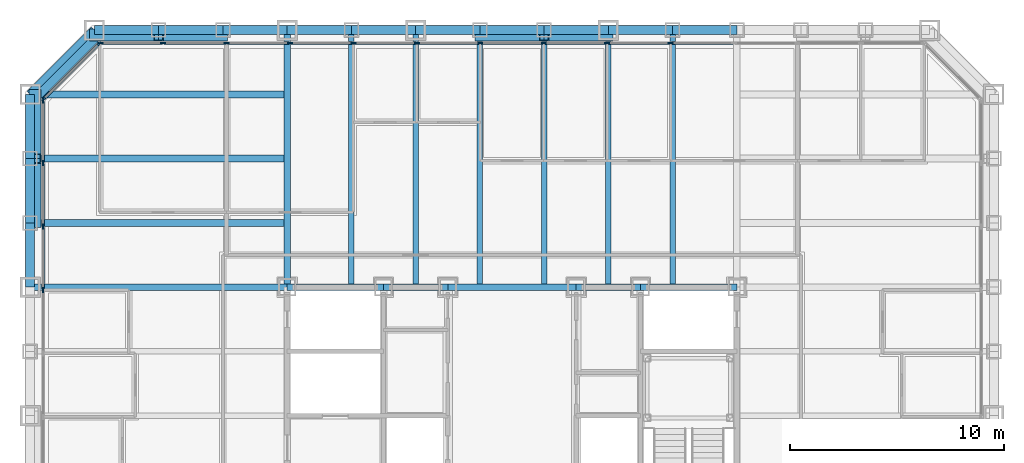
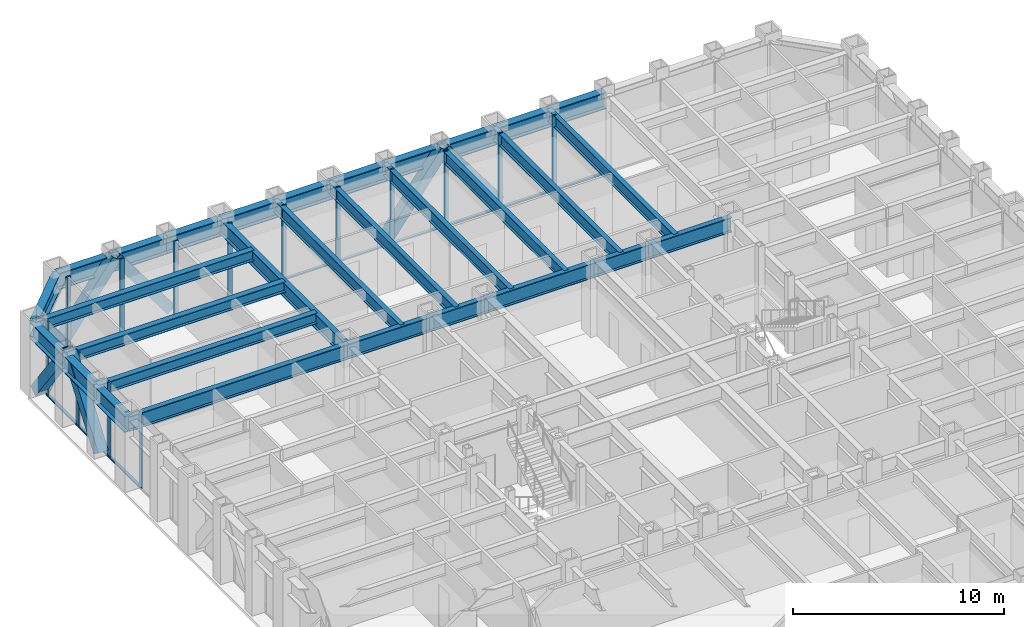
# One storey, part 5 of 16: 37 members, 30 beams, 3 elements without a shape of their own.
"""IFC4 building model written with IfcOpenShell, lengths in metres."""

from ifc_helpers import new_model, si_unit, direction, frame, origin, origin_2d, place, context, subcontext, project, spatial, rectangle, hollow_rectangle, i_section, extrude, material, layer, layer_set, material_profile, profile_set, type_object, element, aggregate, save


model = new_model("IFC4")

# Units and contexts
model_context = context("Model", 3, precision=1e-05, world=origin(), true_north=direction((0.0, 1.0)))
body_context = subcontext(model_context, "Body", "Model", "MODEL_VIEW")
ifc_project = project(units=[si_unit("LENGTHUNIT", "METRE"), si_unit("AREAUNIT", "SQUARE_METRE"), si_unit("VOLUMEUNIT", "CUBIC_METRE"), si_unit("PLANEANGLEUNIT", "RADIAN"), si_unit("MASSUNIT", "GRAM", prefix="KILO")], contexts=[model_context])

# Site, building, storey
site_placement = place(None, origin())
site = spatial("IfcSite", under=ifc_project, at=site_placement, CompositionType="ELEMENT")
building_placement = place(site_placement, origin())
building = spatial("IfcBuilding", under=site, at=building_placement, Name="Chuquiago Exchange Tower", CompositionType="ELEMENT")
storey_placement = place(building_placement, frame((0.0, 0.0, 73.800048828125)))
storey = spatial("IfcBuildingStorey", under=building, at=storey_placement, Name="L15", CompositionType="ELEMENT", Elevation=73.800048828125)

# Beams
ifc_material_1 = material(Name="Steel ASTM A992", Category="steel")
ifc_material_profile_1 = material_profile(ifc_material_1, i_section(OverallWidth=0.2919921875, OverallDepth=0.8583984375, WebThickness=0.01708984375, FlangeThickness=0.031005859375, at=origin_2d()), Name="W33X169")
ifc_profile_set_1 = profile_set([ifc_material_profile_1], Name="Steel ASTM A992")
beam_type_1 = type_object("IfcBeamType", Name="B3 W33X169", PredefinedType="BEAM", material=ifc_profile_set_1)
beam_1_placement = place(storey_placement, frame((12.0, 33.0, 3.610595703125), z_axis=(1.0, 0.0, 0.0), x_axis=(0.0, 1.0, 0.0)))
element("IfcBeam", 1, at=beam_1_placement, inside=storey, type_object=beam_type_1, Name="CB-L16-12_33-16.5_33", PredefinedType="BEAM", context=body_context, shape_type="SweptSolid", body=[
    extrude(i_section(OverallWidth=0.2919921875, OverallDepth=0.8583984375, WebThickness=0.01708984375, FlangeThickness=0.031005859375, at=origin_2d()), origin(), (0.0, 0.0, 1.0), 4.5),
])
beam_2_placement = place(storey_placement, frame((16.5, 33.0, 3.610595703125), z_axis=(1.0, 0.0, 0.0), x_axis=(0.0, 1.0, 0.0)))
element("IfcBeam", 2, at=beam_2_placement, inside=storey, type_object=beam_type_1, Name="CB-L16-16.5_33-19.5_33", PredefinedType="BEAM", context=body_context, shape_type="SweptSolid", body=[
    extrude(i_section(OverallWidth=0.2919921875, OverallDepth=0.8583984375, WebThickness=0.01708984375, FlangeThickness=0.031005859375, at=origin_2d()), origin(), (0.0, 0.0, 1.0), 3.0),
])
beam_3_placement = place(storey_placement, frame((19.5, 33.0, 3.610595703125), z_axis=(1.0, 0.0, 0.0), x_axis=(0.0, 1.0, 0.0)))
element("IfcBeam", 3, at=beam_3_placement, inside=storey, type_object=beam_type_1, Name="CB-L16-19.5_33-25.5_33", PredefinedType="BEAM", context=body_context, shape_type="SweptSolid", body=[
    extrude(i_section(OverallWidth=0.2919921875, OverallDepth=0.8583984375, WebThickness=0.01708984375, FlangeThickness=0.031005859375, at=origin_2d()), origin(), (0.0, 0.0, 1.0), 6.0),
])
beam_4_placement = place(storey_placement, frame((25.5, 33.0, 3.610595703125), z_axis=(1.0, 0.0, 0.0), x_axis=(0.0, 1.0, 0.0)))
element("IfcBeam", 4, at=beam_4_placement, inside=storey, type_object=beam_type_1, Name="CB-L16-25.5_33-28.5_33", PredefinedType="BEAM", context=body_context, shape_type="SweptSolid", body=[
    extrude(i_section(OverallWidth=0.2919921875, OverallDepth=0.8583984375, WebThickness=0.01708984375, FlangeThickness=0.031005859375, at=origin_2d()), origin(), (0.0, 0.0, 1.0), 3.0),
])
beam_5_placement = place(storey_placement, frame((28.5, 33.0, 3.610595703125), z_axis=(1.0, 0.0, 0.0), x_axis=(0.0, 1.0, 0.0)))
element("IfcBeam", 5, at=beam_5_placement, inside=storey, type_object=beam_type_1, Name="CB-L16-28.5_33-33_33", PredefinedType="BEAM", context=body_context, shape_type="SweptSolid", body=[
    extrude(i_section(OverallWidth=0.2919921875, OverallDepth=0.8583984375, WebThickness=0.01708984375, FlangeThickness=0.031005859375, at=origin_2d()), origin(), (0.0, 0.0, 1.0), 4.5),
])
ifc_material_2 = material(Name="Steel ASTM A992", Category="steel")
ifc_material_profile_2 = material_profile(ifc_material_2, i_section(OverallWidth=0.256591796875, OverallDepth=0.693359375, WebThickness=0.014404296875, FlangeThickness=0.023681640625, at=origin_2d()), Name="W27X114")
ifc_profile_set_2 = profile_set([ifc_material_profile_2], Name="Steel ASTM A992")
beam_type_2 = type_object("IfcBeamType", Name="B4 W27X114", PredefinedType="BEAM", material=ifc_profile_set_2)
for number, where, z_axis, x_axis, name in (
    (6, (15.0, 33.0, 3.693359375), (0.0, 1.0, 0.0), (-1.0, 0.0, 0.0), "FB-L16-infill-15_33-15_45-0"),
    (7, (18.0, 33.0, 3.693359375), (0.0, 1.0, 0.0), (-1.0, 0.0, 0.0), "FB-L16-infill-18_33-18_45-0"),
    (8, (21.0, 33.0, 3.693359375), (0.0, 1.0, 0.0), (-1.0, 0.0, 0.0), "FB-L16-infill-21_33-21_45-0"),
    (9, (24.0, 33.0, 3.693359375), (0.0, 1.0, 0.0), (-1.0, 0.0, 0.0), "FB-L16-infill-24_33-24_45-0"),
    (10, (27.0, 33.0, 3.693359375), (0.0, 1.0, 0.0), (-1.0, 0.0, 0.0), "FB-L16-infill-27_33-27_45-0"),
    (11, (30.0, 33.0, 3.693359375), (0.0, 1.0, 0.0), (-1.0, 0.0, 0.0), "FB-L16-infill-30_33-30_45-0"),
):
    element("IfcBeam", number, at=place(storey_placement, frame(where, z_axis=z_axis, x_axis=x_axis)), inside=storey, type_object=beam_type_2, Name=name, PredefinedType="BEAM", context=body_context, shape_type="SweptSolid", body=[
        extrude(i_section(OverallWidth=0.256591796875, OverallDepth=0.693359375, WebThickness=0.014404296875, FlangeThickness=0.023681640625, at=origin_2d()), origin(), (0.0, 0.0, 1.0), 12.0),
    ])
ifc_material_3 = material(Name="Steel ASTM A992", Category="steel")
ifc_material_profile_3 = material_profile(ifc_material_3, i_section(OverallWidth=0.3251953125, OverallDepth=0.6171875, WebThickness=0.013916015625, FlangeThickness=0.021484375, at=origin_2d()), Name="W24X117")
ifc_profile_set_3 = profile_set([ifc_material_profile_3], Name="Steel ASTM A992")
beam_type_3 = type_object("IfcBeamType", Name="B5 W24X117", PredefinedType="BEAM", material=ifc_profile_set_3)
for number, where, z_axis, x_axis, name in (
    (12, (12.0, 36.0, 3.7314453125), (-1.0, 0.0, 0.0), (0.0, -1.0, 0.0), "FB-L16-corner-12_36--0_36-0"),
    (13, (12.0, 39.0, 3.7314453125), (-1.0, 0.0, 0.0), (0.0, -1.0, 0.0), "FB-L16-corner-12_39--0_39-0"),
    (14, (12.0, 42.0, 3.7314453125), (-1.0, 0.0, 0.0), (0.0, -1.0, 0.0), "FB-L16-corner-12_42--0_42-0"),
):
    element("IfcBeam", number, at=place(storey_placement, frame(where, z_axis=z_axis, x_axis=x_axis)), inside=storey, type_object=beam_type_3, Name=name, PredefinedType="BEAM", context=body_context, shape_type="SweptSolid", body=[
        extrude(i_section(OverallWidth=0.3251953125, OverallDepth=0.6171875, WebThickness=0.013916015625, FlangeThickness=0.021484375, at=origin_2d()), origin(), (0.0, 0.0, 1.0), 12.0),
    ])

# Curtain wall, members
ifc_material_4 = material(Name="Aluminium curtain wall system", Category="aluminium")
ifc_layer_1 = layer(ifc_material_4, 0.25)
ifc_layer_set_1 = layer_set([ifc_layer_1], Name="CW1 trading floor curtain wall")
curtain_wall_type_1 = type_object("IfcCurtainWallType", Name="CW1 trading floor curtain wall", PredefinedType="NOTDEFINED", material=ifc_layer_set_1)
curtain_wall_1_placement = place(storey_placement, origin())
curtain_wall_1 = element("IfcCurtainWall", 15, at=curtain_wall_1_placement, inside=storey, type_object=curtain_wall_type_1, Name="CW1 curtain wall L15", PredefinedType="NOTDEFINED")
ifc_material_5 = material(Name="Aluminium mullion, pale anodised", Category="aluminium")
ifc_material_profile_4 = material_profile(ifc_material_5, rectangle(XDim=0.074951171875, YDim=0.25, at=origin_2d()), Name="AL 75x250")
ifc_profile_set_4 = profile_set([ifc_material_profile_4], Name="Aluminium mullion, pale anodised")
member_type_1 = type_object("IfcMemberType", Name="CW1-M mullion 75x250", PredefinedType="MULLION", material=ifc_profile_set_4)
member_1_placement = place(storey_placement, frame((29.904541015625, 44.39990234375, -0.300048828125), z_axis=(0.0, 0.0, 1.0), x_axis=(0.0, -1.0, 0.0)))
member_1 = element("IfcMember", 16, at=member_1_placement, type_object=member_type_1, Name="CW1 mullion 5", PredefinedType="MULLION", context=body_context, shape_type="SweptSolid", body=[
    extrude(rectangle(XDim=0.074951171875, YDim=0.25, at=origin_2d()), origin(), (0.0, 0.0, 1.0), 4.340087890625),
])
member_2_placement = place(storey_placement, frame((26.942626953125, 44.39990234375, -0.300048828125), z_axis=(0.0, 0.0, 1.0), x_axis=(0.0, -1.0, 0.0)))
member_2 = element("IfcMember", 17, at=member_2_placement, type_object=member_type_1, Name="CW1 mullion 6", PredefinedType="MULLION", context=body_context, shape_type="SweptSolid", body=[
    extrude(rectangle(XDim=0.074951171875, YDim=0.25, at=origin_2d()), origin(), (0.0, 0.0, 1.0), 4.340087890625),
])
member_3_placement = place(storey_placement, frame((23.98095703125, 44.39990234375, -0.300048828125), z_axis=(0.0, 0.0, 1.0), x_axis=(0.0, -1.0, 0.0)))
member_3 = element("IfcMember", 18, at=member_3_placement, type_object=member_type_1, Name="CW1 mullion 7", PredefinedType="MULLION", context=body_context, shape_type="SweptSolid", body=[
    extrude(rectangle(XDim=0.074951171875, YDim=0.25, at=origin_2d()), origin(), (0.0, 0.0, 1.0), 4.340087890625),
])
member_4_placement = place(storey_placement, frame((21.01904296875, 44.39990234375, -0.300048828125), z_axis=(0.0, 0.0, 1.0), x_axis=(0.0, -1.0, 0.0)))
member_4 = element("IfcMember", 19, at=member_4_placement, type_object=member_type_1, Name="CW1 mullion 8", PredefinedType="MULLION", context=body_context, shape_type="SweptSolid", body=[
    extrude(rectangle(XDim=0.074951171875, YDim=0.25, at=origin_2d()), origin(), (0.0, 0.0, 1.0), 4.340087890625),
])
member_5_placement = place(storey_placement, frame((18.057373046875, 44.39990234375, -0.300048828125), z_axis=(0.0, 0.0, 1.0), x_axis=(0.0, -1.0, 0.0)))
member_5 = element("IfcMember", 20, at=member_5_placement, type_object=member_type_1, Name="CW1 mullion 9", PredefinedType="MULLION", context=body_context, shape_type="SweptSolid", body=[
    extrude(rectangle(XDim=0.074951171875, YDim=0.25, at=origin_2d()), origin(), (0.0, 0.0, 1.0), 4.340087890625),
])
member_6_placement = place(storey_placement, frame((15.095458984375, 44.39990234375, -0.300048828125), z_axis=(0.0, 0.0, 1.0), x_axis=(0.0, -1.0, 0.0)))
member_6 = element("IfcMember", 21, at=member_6_placement, type_object=member_type_1, Name="CW1 mullion 10", PredefinedType="MULLION", context=body_context, shape_type="SweptSolid", body=[
    extrude(rectangle(XDim=0.074951171875, YDim=0.25, at=origin_2d()), origin(), (0.0, 0.0, 1.0), 4.340087890625),
])
member_7_placement = place(storey_placement, frame((12.1337890625, 44.39990234375, -0.300048828125), z_axis=(0.0, 0.0, 1.0), x_axis=(0.0, -1.0, 0.0)))
member_7 = element("IfcMember", 22, at=member_7_placement, type_object=member_type_1, Name="CW1 mullion 11", PredefinedType="MULLION", context=body_context, shape_type="SweptSolid", body=[
    extrude(rectangle(XDim=0.074951171875, YDim=0.25, at=origin_2d()), origin(), (0.0, 0.0, 1.0), 4.340087890625),
])
member_8_placement = place(storey_placement, frame((9.172119140625, 44.39990234375, -0.300048828125), z_axis=(0.0, 0.0, 1.0), x_axis=(0.0, -1.0, 0.0)))
member_8 = element("IfcMember", 23, at=member_8_placement, type_object=member_type_1, Name="CW1 mullion 12", PredefinedType="MULLION", context=body_context, shape_type="SweptSolid", body=[
    extrude(rectangle(XDim=0.074951171875, YDim=0.25, at=origin_2d()), origin(), (0.0, 0.0, 1.0), 4.340087890625),
])
member_9_placement = place(storey_placement, frame((6.210205078125, 44.39990234375, -0.300048828125), z_axis=(0.0, 0.0, 1.0), x_axis=(0.0, -1.0, 0.0)))
member_9 = element("IfcMember", 24, at=member_9_placement, type_object=member_type_1, Name="CW1 mullion 13", PredefinedType="MULLION", context=body_context, shape_type="SweptSolid", body=[
    extrude(rectangle(XDim=0.074951171875, YDim=0.25, at=origin_2d()), origin(), (0.0, 0.0, 1.0), 4.340087890625),
])
member_10_placement = place(storey_placement, frame((3.285888671875, 44.39990234375, -0.300048828125), z_axis=(0.0, 0.0, 1.0), x_axis=(0.0, -1.0, 0.0)))
member_10 = element("IfcMember", 25, at=member_10_placement, type_object=member_type_1, Name="CW1 mullion 14", PredefinedType="MULLION", context=body_context, shape_type="SweptSolid", body=[
    extrude(rectangle(XDim=0.074951171875, YDim=0.25, at=origin_2d()), origin(), (0.0, 0.0, 1.0), 4.340087890625),
])

curtain_wall_2_placement = place(storey_placement, origin())
curtain_wall_2 = element("IfcCurtainWall", 26, at=curtain_wall_2_placement, inside=storey, type_object=curtain_wall_type_1, Name="CW1 curtain wall L15", PredefinedType="NOTDEFINED")
member_11_placement = place(storey_placement, frame((0.60009765625, 41.714111328125, -0.300048828125), z_axis=(0.0, 0.0, 1.0), x_axis=(1.0, 0.0, 0.0)))
member_11 = element("IfcMember", 27, at=member_11_placement, type_object=member_type_1, Name="CW1 mullion 1", PredefinedType="MULLION", context=body_context, shape_type="SweptSolid", body=[
    extrude(rectangle(XDim=0.074951171875, YDim=0.25, at=origin_2d()), origin(), (0.0, 0.0, 1.0), 4.340087890625),
])
member_12_placement = place(storey_placement, frame((0.60009765625, 38.789794921875, -0.300048828125), z_axis=(0.0, 0.0, 1.0), x_axis=(1.0, 0.0, 0.0)))
member_12 = element("IfcMember", 28, at=member_12_placement, type_object=member_type_1, Name="CW1 mullion 2", PredefinedType="MULLION", context=body_context, shape_type="SweptSolid", body=[
    extrude(rectangle(XDim=0.074951171875, YDim=0.25, at=origin_2d()), origin(), (0.0, 0.0, 1.0), 4.340087890625),
])
member_13_placement = place(storey_placement, frame((0.60009765625, 35.827880859375, -0.300048828125), z_axis=(0.0, 0.0, 1.0), x_axis=(1.0, 0.0, 0.0)))
member_13 = element("IfcMember", 29, at=member_13_placement, type_object=member_type_1, Name="CW1 mullion 3", PredefinedType="MULLION", context=body_context, shape_type="SweptSolid", body=[
    extrude(rectangle(XDim=0.074951171875, YDim=0.25, at=origin_2d()), origin(), (0.0, 0.0, 1.0), 4.340087890625),
])
member_14_placement = place(storey_placement, frame((0.60009765625, 32.8662109375, -0.300048828125), z_axis=(0.0, 0.0, 1.0), x_axis=(1.0, 0.0, 0.0)))
member_14 = element("IfcMember", 30, at=member_14_placement, type_object=member_type_1, Name="CW1 mullion 4", PredefinedType="MULLION", context=body_context, shape_type="SweptSolid", body=[
    extrude(rectangle(XDim=0.074951171875, YDim=0.25, at=origin_2d()), origin(), (0.0, 0.0, 1.0), 4.340087890625),
])

# Member
ifc_material_6 = material(Name="Aluminium transom, pale anodised", Category="aluminium")
ifc_material_profile_5 = material_profile(ifc_material_6, rectangle(XDim=0.14990234375, YDim=0.074951171875, at=origin_2d()), Name="AL 150x75")
ifc_profile_set_5 = profile_set([ifc_material_profile_5], Name="Aluminium transom, pale anodised")
member_type_2 = type_object("IfcMemberType", Name="CW1-T transom 75x150", PredefinedType="MULLION", material=ifc_profile_set_5)
member_15_placement = place(storey_placement, frame((32.82861328125, 44.39990234375, -0.262451171875), z_axis=(-1.0, 0.0, 0.0), x_axis=(0.0, -1.0, 0.0)))
member_15 = element("IfcMember", 31, at=member_15_placement, type_object=member_type_2, Name="CW1 transom 4.1", PredefinedType="MULLION", context=body_context, shape_type="SweptSolid", body=[
    extrude(rectangle(XDim=0.14990234375, YDim=0.074951171875, at=origin_2d()), origin(), (0.0, 0.0, 1.0), 2.88671875),
])

member_16_placement = place(storey_placement, frame((29.866943359375, 44.39990234375, -0.262451171875), z_axis=(-1.0, 0.0, 0.0), x_axis=(0.0, -1.0, 0.0)))
member_16 = element("IfcMember", 32, at=member_16_placement, type_object=member_type_2, Name="CW1 transom 5.1", PredefinedType="MULLION", context=body_context, shape_type="SweptSolid", body=[
    extrude(rectangle(XDim=0.14990234375, YDim=0.074951171875, at=origin_2d()), origin(), (0.0, 0.0, 1.0), 2.88671875),
])

member_17_placement = place(storey_placement, frame((26.9052734375, 44.39990234375, -0.262451171875), z_axis=(-1.0, 0.0, 0.0), x_axis=(0.0, -1.0, 0.0)))
member_17 = element("IfcMember", 33, at=member_17_placement, type_object=member_type_2, Name="CW1 transom 6.1", PredefinedType="MULLION", context=body_context, shape_type="SweptSolid", body=[
    extrude(rectangle(XDim=0.14990234375, YDim=0.074951171875, at=origin_2d()), origin(), (0.0, 0.0, 1.0), 2.886962890625),
])

member_18_placement = place(storey_placement, frame((23.943359375, 44.39990234375, -0.262451171875), z_axis=(-1.0, 0.0, 0.0), x_axis=(0.0, -1.0, 0.0)))
member_18 = element("IfcMember", 34, at=member_18_placement, type_object=member_type_2, Name="CW1 transom 7.1", PredefinedType="MULLION", context=body_context, shape_type="SweptSolid", body=[
    extrude(rectangle(XDim=0.14990234375, YDim=0.074951171875, at=origin_2d()), origin(), (0.0, 0.0, 1.0), 2.88671875),
])

member_19_placement = place(storey_placement, frame((20.981689453125, 44.39990234375, -0.262451171875), z_axis=(-1.0, 0.0, 0.0), x_axis=(0.0, -1.0, 0.0)))
member_19 = element("IfcMember", 35, at=member_19_placement, type_object=member_type_2, Name="CW1 transom 8.1", PredefinedType="MULLION", context=body_context, shape_type="SweptSolid", body=[
    extrude(rectangle(XDim=0.14990234375, YDim=0.074951171875, at=origin_2d()), origin(), (0.0, 0.0, 1.0), 2.886962890625),
])

member_20_placement = place(storey_placement, frame((18.019775390625, 44.39990234375, -0.262451171875), z_axis=(-1.0, 0.0, 0.0), x_axis=(0.0, -1.0, 0.0)))
member_20 = element("IfcMember", 36, at=member_20_placement, type_object=member_type_2, Name="CW1 transom 9.1", PredefinedType="MULLION", context=body_context, shape_type="SweptSolid", body=[
    extrude(rectangle(XDim=0.14990234375, YDim=0.074951171875, at=origin_2d()), origin(), (0.0, 0.0, 1.0), 2.88671875),
])

member_21_placement = place(storey_placement, frame((15.05810546875, 44.39990234375, -0.262451171875), z_axis=(-1.0, 0.0, 0.0), x_axis=(0.0, -1.0, 0.0)))
member_21 = element("IfcMember", 37, at=member_21_placement, type_object=member_type_2, Name="CW1 transom 10.1", PredefinedType="MULLION", context=body_context, shape_type="SweptSolid", body=[
    extrude(rectangle(XDim=0.14990234375, YDim=0.074951171875, at=origin_2d()), origin(), (0.0, 0.0, 1.0), 2.88671875),
])

member_22_placement = place(storey_placement, frame((12.09619140625, 44.39990234375, -0.262451171875), z_axis=(-1.0, 0.0, 0.0), x_axis=(0.0, -1.0, 0.0)))
member_22 = element("IfcMember", 38, at=member_22_placement, type_object=member_type_2, Name="CW1 transom 11.1", PredefinedType="MULLION", context=body_context, shape_type="SweptSolid", body=[
    extrude(rectangle(XDim=0.14990234375, YDim=0.074951171875, at=origin_2d()), origin(), (0.0, 0.0, 1.0), 2.88671875),
])

member_23_placement = place(storey_placement, frame((9.134521484375, 44.39990234375, -0.262451171875), z_axis=(-1.0, 0.0, 0.0), x_axis=(0.0, -1.0, 0.0)))
member_23 = element("IfcMember", 39, at=member_23_placement, type_object=member_type_2, Name="CW1 transom 12.1", PredefinedType="MULLION", context=body_context, shape_type="SweptSolid", body=[
    extrude(rectangle(XDim=0.14990234375, YDim=0.074951171875, at=origin_2d()), origin(), (0.0, 0.0, 1.0), 2.88671875),
])

member_24_placement = place(storey_placement, frame((6.1728515625, 44.39990234375, -0.262451171875), z_axis=(-1.0, 0.0, 0.0), x_axis=(0.0, -1.0, 0.0)))
member_24 = element("IfcMember", 40, at=member_24_placement, type_object=member_type_2, Name="CW1 transom 13.1", PredefinedType="MULLION", context=body_context, shape_type="SweptSolid", body=[
    extrude(rectangle(XDim=0.14990234375, YDim=0.074951171875, at=origin_2d()), origin(), (0.0, 0.0, 1.0), 2.849365234375),
])

aggregate(curtain_wall_1, [member_1, member_2, member_3, member_4, member_5, member_6, member_7, member_8, member_9, member_10, member_15, member_16, member_17, member_18, member_19, member_20, member_21, member_22, member_23, member_24])

member_25_placement = place(storey_placement, frame((0.60009765625, 41.676513671875, -0.262451171875), z_axis=(0.0, -1.0, 0.0), x_axis=(1.0, 0.0, 0.0)))
member_25 = element("IfcMember", 41, at=member_25_placement, type_object=member_type_2, Name="CW1 transom 1.1", PredefinedType="MULLION", context=body_context, shape_type="SweptSolid", body=[
    extrude(rectangle(XDim=0.14990234375, YDim=0.074951171875, at=origin_2d()), origin(), (0.0, 0.0, 1.0), 2.849365234375),
])

member_26_placement = place(storey_placement, frame((0.60009765625, 38.752197265625, -0.262451171875), z_axis=(0.0, -1.0, 0.0), x_axis=(1.0, 0.0, 0.0)))
member_26 = element("IfcMember", 42, at=member_26_placement, type_object=member_type_2, Name="CW1 transom 2.1", PredefinedType="MULLION", context=body_context, shape_type="SweptSolid", body=[
    extrude(rectangle(XDim=0.14990234375, YDim=0.074951171875, at=origin_2d()), origin(), (0.0, 0.0, 1.0), 2.88671875),
])

member_27_placement = place(storey_placement, frame((0.60009765625, 35.79052734375, -0.262451171875), z_axis=(0.0, -1.0, 0.0), x_axis=(1.0, 0.0, 0.0)))
member_27 = element("IfcMember", 43, at=member_27_placement, type_object=member_type_2, Name="CW1 transom 3.1", PredefinedType="MULLION", context=body_context, shape_type="SweptSolid", body=[
    extrude(rectangle(XDim=0.14990234375, YDim=0.074951171875, at=origin_2d()), origin(), (0.0, 0.0, 1.0), 2.88671875),
])

aggregate(curtain_wall_2, [member_11, member_12, member_13, member_14, member_25, member_26, member_27])

# Curtain wall, members
ifc_material_7 = material(Name="Aluminium curtain wall system", Category="aluminium")
ifc_layer_2 = layer(ifc_material_7, 0.199951171875)
ifc_layer_set_2 = layer_set([ifc_layer_2], Name="CW3 facet curtain wall")
curtain_wall_type_2 = type_object("IfcCurtainWallType", Name="CW3 facet curtain wall", PredefinedType="NOTDEFINED", material=ifc_layer_set_2)
curtain_wall_3_placement = place(storey_placement, origin())
curtain_wall_3 = element("IfcCurtainWall", 44, at=curtain_wall_3_placement, inside=storey, type_object=curtain_wall_type_2, Name="CW3 curtain wall L15", PredefinedType="NOTDEFINED")
ifc_material_8 = material(Name="Aluminium mullion, pale anodised", Category="aluminium")
ifc_material_profile_6 = material_profile(ifc_material_8, rectangle(XDim=0.06494140625, YDim=0.199951171875, at=origin_2d()), Name="AL 65x200")
ifc_profile_set_6 = profile_set([ifc_material_profile_6], Name="Aluminium mullion, pale anodised")
member_type_3 = type_object("IfcMemberType", Name="CW3-M mullion 65x200", PredefinedType="MULLION", material=ifc_profile_set_6)
member_28_placement = place(storey_placement, frame((3.2255859375, 44.376953125, -0.300048828125), z_axis=(0.0, 0.0, 1.0), x_axis=(0.707106781187, -0.707106781187, 0.0)))
member_28 = element("IfcMember", 45, at=member_28_placement, type_object=member_type_3, Name="CW3 mullion 1", PredefinedType="MULLION", context=body_context, shape_type="SweptSolid", body=[
    extrude(rectangle(XDim=0.06494140625, YDim=0.199951171875, at=origin_2d()), origin(), (0.0, 0.0, 1.0), 4.340087890625),
])
member_29_placement = place(storey_placement, frame((0.623046875, 41.7744140625, -0.300048828125), z_axis=(0.0, 0.0, 1.0), x_axis=(0.707106781187, -0.707106781187, 0.0)))
member_29 = element("IfcMember", 46, at=member_29_placement, type_object=member_type_3, Name="CW3 mullion 2", PredefinedType="MULLION", context=body_context, shape_type="SweptSolid", body=[
    extrude(rectangle(XDim=0.06494140625, YDim=0.199951171875, at=origin_2d()), origin(), (0.0, 0.0, 1.0), 4.340087890625),
])
ifc_material_9 = material(Name="Aluminium transom, pale anodised", Category="aluminium")
ifc_material_profile_7 = material_profile(ifc_material_9, rectangle(XDim=0.139892578125, YDim=0.06494140625, at=origin_2d()), Name="AL 140x65")
ifc_profile_set_7 = profile_set([ifc_material_profile_7], Name="Aluminium transom, pale anodised")
member_type_4 = type_object("IfcMemberType", Name="CW3-T transom 65x140", PredefinedType="MULLION", material=ifc_profile_set_7)
member_30_placement = place(storey_placement, frame((3.20263671875, 44.35400390625, -0.267578125), z_axis=(-0.707106781187, -0.707106781187, 0.0), x_axis=(0.707106781187, -0.707106781187, 0.0)))
member_30 = element("IfcMember", 47, at=member_30_placement, type_object=member_type_4, Name="CW3 transom 1.1", PredefinedType="MULLION", context=body_context, shape_type="SweptSolid", body=[
    extrude(rectangle(XDim=0.139892578125, YDim=0.06494140625, at=origin_2d()), origin(), (0.0, 0.0, 1.0), 3.61572265625),
])
aggregate(curtain_wall_3, [member_28, member_29, member_30])

# Beams
ifc_material_10 = material(Name="Steel ASTM A992", Category="steel")
ifc_material_profile_8 = material_profile(ifc_material_10, i_section(OverallWidth=0.2919921875, OverallDepth=0.8583984375, WebThickness=0.01708984375, FlangeThickness=0.031005859375, at=origin_2d()), Name="W33X169")
ifc_profile_set_8 = profile_set([ifc_material_profile_8], Name="Steel ASTM A992")
beam_type_4 = type_object("IfcBeamType", Name="G2 W33X169", PredefinedType="BEAM", material=ifc_profile_set_8)
for number, where, z_axis, x_axis, name in (
    (48, (12.0, 33.0, 3.610595703125), (0.0, 1.0, 0.0), (-1.0, 0.0, 0.0), "FB-L16-girder-12_33-12_45-0"),
    (49, (12.0, 33.0, 3.610595703125), (-1.0, 0.0, 0.0), (0.0, -1.0, 0.0), "FB-L16-girder-12_33--0_33-0"),
):
    element("IfcBeam", number, at=place(storey_placement, frame(where, z_axis=z_axis, x_axis=x_axis)), inside=storey, type_object=beam_type_4, Name=name, PredefinedType="BEAM", context=body_context, shape_type="SweptSolid", body=[
        extrude(i_section(OverallWidth=0.2919921875, OverallDepth=0.8583984375, WebThickness=0.01708984375, FlangeThickness=0.031005859375, at=origin_2d()), origin(), (0.0, 0.0, 1.0), 12.0),
    ])

# Members
ifc_material_11 = material(Name="Steel ASTM A500 Grade C", Category="steel")
ifc_material_profile_9 = material_profile(ifc_material_11, hollow_rectangle(XDim=0.406494140625, YDim=0.406494140625, WallThickness=0.0146484375, at=origin_2d()), Name="HSS16X16X5/8")
ifc_profile_set_9 = profile_set([ifc_material_profile_9], Name="Steel ASTM A500 Grade C")
member_type_5 = type_object("IfcMemberType", Name="LB4 HSS16X16X5/8", PredefinedType="BRACE", material=ifc_profile_set_9)
member_31_placement = place(storey_placement, frame((3.21337890625, 44.78662109375, 0.0), z_axis=(-0.512077265487, -0.512077265487, 0.689604051861), x_axis=(0.707106781187, -0.707106781187, 0.0)))
element("IfcMember", 50, at=member_31_placement, inside=storey, type_object=member_type_5, Name="LB-L15-3_45-0_42", PredefinedType="BRACE", context=body_context, shape_type="SweptSolid", body=[
    extrude(hollow_rectangle(XDim=0.406494140625, YDim=0.406494140625, WallThickness=0.0146484375, at=origin_2d()), origin(), (0.0, 0.0, 1.0), 5.8583984375),
])
ifc_material_12 = material(Name="Steel ASTM A572 Grade 50", Category="steel")
ifc_material_profile_10 = material_profile(ifc_material_12, hollow_rectangle(XDim=0.550048828125, YDim=0.550048828125, WallThickness=0.044921875, at=origin_2d()), Name="BOX550X550X45")
ifc_profile_set_10 = profile_set([ifc_material_profile_10], Name="Steel ASTM A572 Grade 50")
member_type_6 = type_object("IfcMemberType", Name="MB1 BOX550X550X45", PredefinedType="BRACE", material=ifc_profile_set_10)
for number, where, z_axis, x_axis, name in (
    (51, (27.0, 44.77001953125, 0.0), (-0.596173923302, 0.0, 0.802855312728), (0.0, -1.0, 0.0), "Mega diagonal L15 N face"),
    (52, (21.0, 44.77001953125, 0.0), (0.596173923302, 0.0, 0.802855312728), (0.0, 1.0, 0.0), "Mega diagonal L15 N face"),
    (53, (9.0, 44.77001953125, 0.0), (-0.596173923302, 0.0, 0.802855312728), (0.0, -1.0, 0.0), "Mega diagonal L15 N face"),
    (54, (3.0, 44.77001953125, 0.0), (0.596173923302, 0.0, 0.802855312728), (0.0, 1.0, 0.0), "Mega diagonal L15 N face"),
    (55, (0.22998046875, 42.0, 0.0), (0.0, -0.596173923302, 0.802855312728), (1.0, 0.0, 0.0), "Mega diagonal L15 W face"),
    (56, (0.22998046875, 36.0, 0.0), (0.0, 0.596173923302, 0.802855312728), (-1.0, 0.0, 0.0), "Mega diagonal L15 W face"),
):
    element("IfcMember", number, at=place(storey_placement, frame(where, z_axis=z_axis, x_axis=x_axis)), inside=storey, type_object=member_type_6, Name=name, PredefinedType="BRACE", context=body_context, shape_type="SweptSolid", body=[
        extrude(hollow_rectangle(XDim=0.550048828125, YDim=0.550048828125, WallThickness=0.044921875, at=origin_2d()), origin(), (0.0, 0.0, 1.0), 5.031982421875),
    ])

# Beams
ifc_material_13 = material(Name="Steel ASTM A992", Category="steel")
ifc_material_profile_11 = material_profile(ifc_material_13, i_section(OverallWidth=0.424072265625, OverallDepth=0.947509765625, WebThickness=0.02392578125, FlangeThickness=0.042724609375, at=origin_2d()), Name="W36X302")
ifc_profile_set_11 = profile_set([ifc_material_profile_11], Name="Steel ASTM A992")
beam_type_5 = type_object("IfcBeamType", Name="SP1 W36X302", PredefinedType="SPANDREL", material=ifc_profile_set_11)
for number, where, z_axis, x_axis, name in (
    (57, (33.0, 45.0, 3.566162109375), (-1.0, 0.0, 0.0), (0.0, -1.0, 0.0), "SPB-L16-33_45-30_45"),
    (58, (30.0, 45.0, 3.566162109375), (-1.0, 0.0, 0.0), (0.0, -1.0, 0.0), "SPB-L16-30_45-27_45"),
    (59, (27.0, 45.0, 3.566162109375), (-1.0, 0.0, 0.0), (0.0, -1.0, 0.0), "SPB-L16-27_45-24_45"),
    (60, (24.0, 45.0, 3.566162109375), (-1.0, 0.0, 0.0), (0.0, -1.0, 0.0), "SPB-L16-24_45-21_45"),
    (61, (21.0, 45.0, 3.566162109375), (-1.0, 0.0, 0.0), (0.0, -1.0, 0.0), "SPB-L16-21_45-18_45"),
    (62, (18.0, 45.0, 3.566162109375), (-1.0, 0.0, 0.0), (0.0, -1.0, 0.0), "SPB-L16-18_45-15_45"),
    (63, (15.0, 45.0, 3.566162109375), (-1.0, 0.0, 0.0), (0.0, -1.0, 0.0), "SPB-L16-15_45-12_45"),
    (64, (12.0, 45.0, 3.566162109375), (-1.0, 0.0, 0.0), (0.0, -1.0, 0.0), "SPB-L16-12_45-9_45"),
    (65, (9.0, 45.0, 3.566162109375), (-1.0, 0.0, 0.0), (0.0, -1.0, 0.0), "SPB-L16-9_45-6_45"),
    (66, (6.0, 45.0, 3.566162109375), (-1.0, 0.0, 0.0), (0.0, -1.0, 0.0), "SPB-L16-6_45-3_45"),
):
    element("IfcBeam", number, at=place(storey_placement, frame(where, z_axis=z_axis, x_axis=x_axis)), inside=storey, type_object=beam_type_5, Name=name, PredefinedType="SPANDREL", context=body_context, shape_type="SweptSolid", body=[
        extrude(i_section(OverallWidth=0.424072265625, OverallDepth=0.947509765625, WebThickness=0.02392578125, FlangeThickness=0.042724609375, at=origin_2d()), origin(), (0.0, 0.0, 1.0), 3.0),
    ])
beam_6_placement = place(storey_placement, frame((3.0, 45.0, 3.566162109375), z_axis=(-0.707106781187, -0.707106781187, 0.0), x_axis=(0.707106781187, -0.707106781187, 0.0)))
element("IfcBeam", 67, at=beam_6_placement, inside=storey, type_object=beam_type_5, Name="SPB-L16-3_45-0_42", PredefinedType="SPANDREL", context=body_context, shape_type="SweptSolid", body=[
    extrude(i_section(OverallWidth=0.424072265625, OverallDepth=0.947509765625, WebThickness=0.02392578125, FlangeThickness=0.042724609375, at=origin_2d()), origin(), (0.0, 0.0, 1.0), 4.24267578125),
])
for number, where, z_axis, x_axis, name in (
    (68, (0.0, 42.0, 3.566162109375), (0.0, -1.0, 0.0), (1.0, 0.0, 0.0), "SPB-L16-0_42-0_39"),
    (69, (0.0, 39.0, 3.566162109375), (0.0, -1.0, 0.0), (1.0, 0.0, 0.0), "SPB-L16-0_39-0_36"),
    (70, (0.0, 36.0, 3.566162109375), (0.0, -1.0, 0.0), (1.0, 0.0, 0.0), "SPB-L16-0_36-0_33"),
):
    element("IfcBeam", number, at=place(storey_placement, frame(where, z_axis=z_axis, x_axis=x_axis)), inside=storey, type_object=beam_type_5, Name=name, PredefinedType="SPANDREL", context=body_context, shape_type="SweptSolid", body=[
        extrude(i_section(OverallWidth=0.424072265625, OverallDepth=0.947509765625, WebThickness=0.02392578125, FlangeThickness=0.042724609375, at=origin_2d()), origin(), (0.0, 0.0, 1.0), 3.0),
    ])

save(model, "model.ifc")
